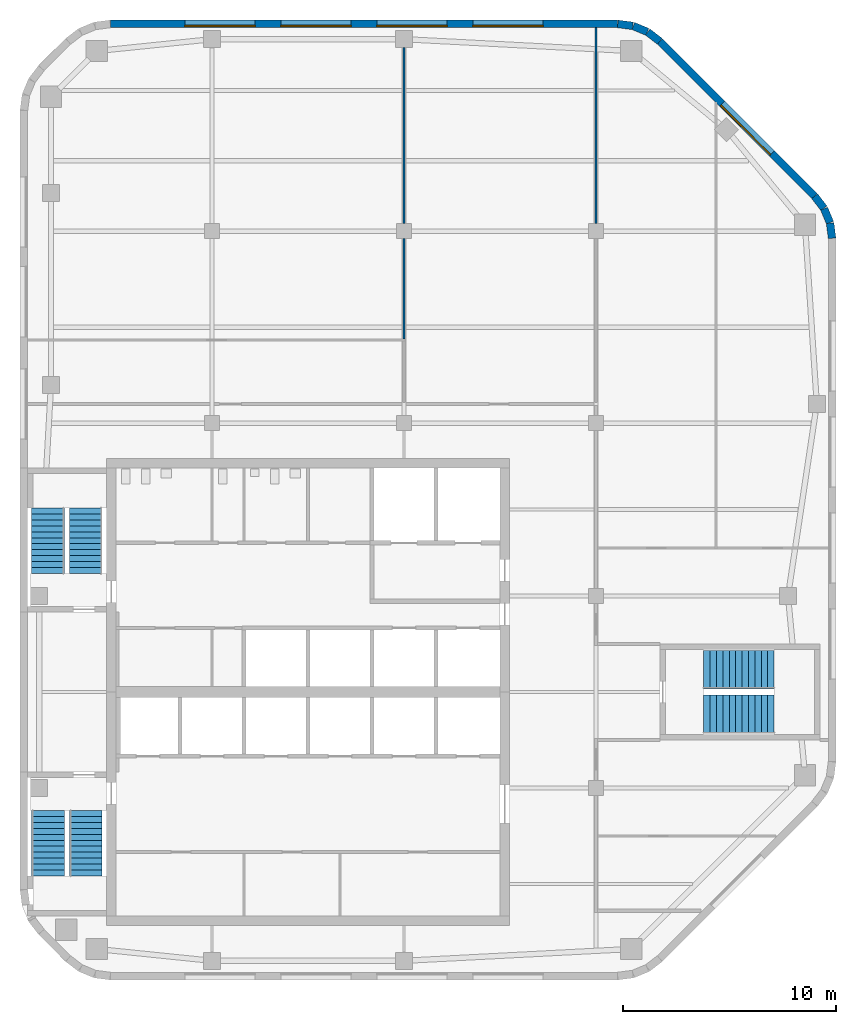
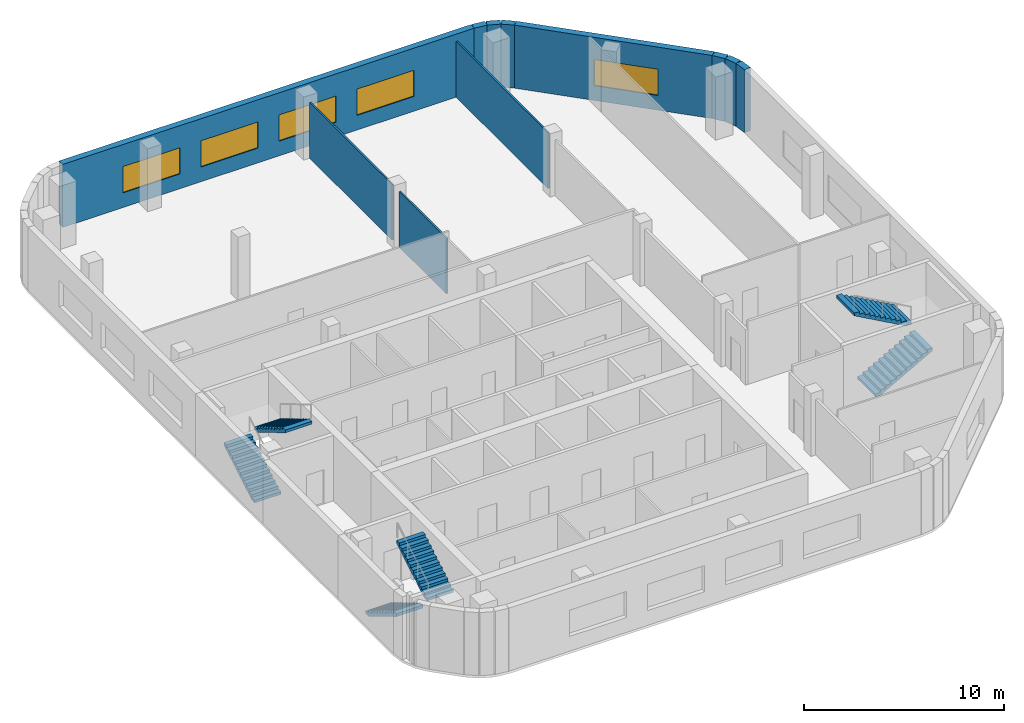
# One storey, part 5 of 7: 11 walls, 6 stair flights, 5 windows, 5 openings, 3 elements without a shape of their own.
"""IFC4 building model written with IfcOpenShell, lengths in metres."""

from ifc_helpers import new_model, si_unit, direction, frame, frame_2d, origin, place, context, subcontext, project, spatial, polyline, rectangle, outline, extrude, material, layer, layer_set, type_object, element, fill, aggregate, save


model = new_model("IFC4")

# Units and contexts
model_context = context("Model", 3, precision=1e-05, world=origin(), true_north=direction((0.0, 1.0)))
body_context = subcontext(model_context, "Body", "Model", "MODEL_VIEW")
ifc_project = project(units=[si_unit("LENGTHUNIT", "METRE"), si_unit("AREAUNIT", "SQUARE_METRE"), si_unit("VOLUMEUNIT", "CUBIC_METRE"), si_unit("PLANEANGLEUNIT", "RADIAN"), si_unit("MASSUNIT", "GRAM", prefix="KILO")], contexts=[model_context])

# Site, building, storey
site_placement = place(None, origin())
site = spatial("IfcSite", under=ifc_project, at=site_placement, CompositionType="ELEMENT")
building_placement = place(site_placement, origin())
building = spatial("IfcBuilding", under=site, at=building_placement, Name="Cinnabar Reach Civic Tower", CompositionType="ELEMENT")
storey_placement = place(building_placement, frame((0.0, 0.0, 251.0)))
storey = spatial("IfcBuildingStorey", under=building, at=storey_placement, Name="L60", CompositionType="ELEMENT", Elevation=251.0)

# Walls
ifc_material_1 = material(Name="Facing brick with insulated backing", Category="masonry")
ifc_layer_1 = layer(ifc_material_1, 0.36)
ifc_layer_set_1 = layer_set([ifc_layer_1], Name="Brick corner wall")
wall_type_1 = type_object("IfcWallType", Name="Brick corner wall", PredefinedType="STANDARD", material=ifc_layer_set_1)
for number, where, z_axis, x_axis, name in (
    (1, (38.067, 52.7686, 0.0), (0.0, 0.0, 1.0), (-0.13055608231, 0.99144092581, 0.0), "Brick corner wall"),
    (2, (37.9681, 53.4973, 0.0), (0.0, 0.0, 1.0), (-0.382702709855, 0.923871547278, 0.0), "Brick corner wall"),
):
    element("IfcWall", number, at=place(storey_placement, frame(where, z_axis=z_axis, x_axis=x_axis)), inside=storey, type_object=wall_type_1, Name=name, PredefinedType="STANDARD", context=body_context, shape_type="SweptSolid", body=[
        extrude(rectangle(XDim=0.7131, YDim=0.36, at=frame_2d((0.3565, 0.0))), origin(), (0.0, 0.0, 1.0), 3.85),
    ])
for number, where, z_axis, x_axis, name in (
    (3, (37.684, 54.1755, 0.0), (0.0, 0.0, 1.0), (-0.608802368033, 0.793321924995, 0.0), "Brick corner wall"),
    (4, (29.9913, 61.9998, 0.0), (0.0, 0.0, 1.0), (-0.793321924995, 0.608802368033, 0.0), "Brick corner wall"),
):
    element("IfcWall", number, at=place(storey_placement, frame(where, z_axis=z_axis, x_axis=x_axis)), inside=storey, type_object=wall_type_1, Name=name, PredefinedType="STANDARD", context=body_context, shape_type="SweptSolid", body=[
        extrude(rectangle(XDim=0.7132, YDim=0.36, at=frame_2d((0.3566, 0.0))), origin(), (0.0, 0.0, 1.0), 3.85),
    ])
for number, where, z_axis, x_axis, name in (
    (5, (29.4061, 62.4452, 0.0), (0.0, 0.0, 1.0), (-0.923871547278, 0.382702709855, 0.0), "Brick corner wall"),
    (6, (28.7256, 62.7239, 0.0), (0.0, 0.0, 1.0), (-0.99144092581, 0.13055608231, 0.0), "Brick corner wall"),
):
    element("IfcWall", number, at=place(storey_placement, frame(where, z_axis=z_axis, x_axis=x_axis)), inside=storey, type_object=wall_type_1, Name=name, PredefinedType="STANDARD", context=body_context, shape_type="SweptSolid", body=[
        extrude(rectangle(XDim=0.7131, YDim=0.36, at=frame_2d((0.3565, 0.0))), origin(), (0.0, 0.0, 1.0), 3.85),
    ])

# Wall, opening, window
ifc_layer_2 = layer(ifc_material_1, 0.36)
ifc_layer_set_2 = layer_set([ifc_layer_2], Name="Brick pier and spandrel wall")
wall_type_2 = type_object("IfcWallType", Name="Brick pier and spandrel wall", PredefinedType="STANDARD", material=ifc_layer_set_2)
wall_1_placement = place(storey_placement, frame((37.244, 54.7514, 0.0), z_axis=(0.0, 0.0, 1.0), x_axis=(-0.707106781187, 0.707106781187, 0.0)))
wall_1 = element("IfcWall", 7, at=wall_1_placement, inside=storey, type_object=wall_type_2, Name="Brick facade wall", PredefinedType="STANDARD", context=body_context, shape_type="SweptSolid", body=[
    extrude(rectangle(XDim=10.2426, YDim=0.36, at=frame_2d((5.1213, 0.0))), origin(), (0.0, 0.0, 1.0), 3.85),
])
opening_1_placement = place(wall_1_placement, frame((2.8213, 0.0, 0.9)))
opening_1 = element("IfcOpeningElement", 8, at=opening_1_placement, cuts=wall_1, Name="Opening W2203", PredefinedType="OPENING", context=body_context, shape_type="SweptSolid", body=[
    extrude(rectangle(XDim=3.3, YDim=1.6, at=frame_2d((1.65, 0.8))), frame((0.0, 0.19, 0.0), z_axis=(0.0, -1.0, 0.0), x_axis=(1.0, 0.0, 0.0)), (0.0, 0.0, 1.0), 0.38),
])
ifc_material_2 = material(Name="Clear double glazing in aluminium frame", Category="aluminium")
window_type = type_object("IfcWindowType", Name="Deep-set window A", PartitioningType="SINGLE_PANEL", PredefinedType="WINDOW", material=ifc_material_2)
window_1_placement = place(opening_1_placement, origin())
window_1 = element("IfcWindow", 9, at=window_1_placement, inside=storey, type_object=window_type, Name="Window northeast face", OverallHeight=1.6, OverallWidth=3.3, PartitioningType="SINGLE_PANEL", PredefinedType="WINDOW", context=body_context, shape_type="SweptSolid", body=[
    extrude(rectangle(XDim=3.3, YDim=1.6, at=frame_2d((1.65, 0.8))), frame((0.0, 0.13, 0.0), z_axis=(0.0, -1.0, 0.0), x_axis=(1.0, 0.0, 0.0)), (0.0, 0.0, 1.0), 0.06),
])
fill(opening_1, window_1)

# Wall, openings, windows
wall_2_placement = place(storey_placement, frame((28.0074, 62.82, 0.0), z_axis=(0.0, 0.0, 1.0), x_axis=(-1.0, 0.0, 0.0)))
wall_2 = element("IfcWall", 10, at=wall_2_placement, inside=storey, type_object=wall_type_2, Name="Brick facade wall", PredefinedType="STANDARD", context=body_context, shape_type="SweptSolid", body=[
    extrude(rectangle(XDim=23.7648, YDim=0.36, at=frame_2d((11.8824, 0.0))), origin(), (0.0, 0.0, 1.0), 3.85),
])
opening_2_placement = place(wall_2_placement, frame((3.4824, 0.0, 0.9)))
opening_2 = element("IfcOpeningElement", 11, at=opening_2_placement, cuts=wall_2, Name="Opening W2204", PredefinedType="OPENING", context=body_context, shape_type="SweptSolid", body=[
    extrude(rectangle(XDim=3.3, YDim=1.6, at=frame_2d((1.65, 0.8))), frame((0.0, 0.19, 0.0), z_axis=(0.0, -1.0, 0.0), x_axis=(1.0, 0.0, 0.0)), (0.0, 0.0, 1.0), 0.38),
])
opening_3_placement = place(wall_2_placement, frame((7.9824, 0.0, 0.9)))
opening_3 = element("IfcOpeningElement", 12, at=opening_3_placement, cuts=wall_2, Name="Opening W2205", PredefinedType="OPENING", context=body_context, shape_type="SweptSolid", body=[
    extrude(rectangle(XDim=3.3, YDim=1.6, at=frame_2d((1.65, 0.8))), frame((0.0, 0.19, 0.0), z_axis=(0.0, -1.0, 0.0), x_axis=(1.0, 0.0, 0.0)), (0.0, 0.0, 1.0), 0.38),
])
opening_4_placement = place(wall_2_placement, frame((12.4824, 0.0, 0.9)))
opening_4 = element("IfcOpeningElement", 13, at=opening_4_placement, cuts=wall_2, Name="Opening W2206", PredefinedType="OPENING", context=body_context, shape_type="SweptSolid", body=[
    extrude(rectangle(XDim=3.3, YDim=1.6, at=frame_2d((1.65, 0.8))), frame((0.0, 0.19, 0.0), z_axis=(0.0, -1.0, 0.0), x_axis=(1.0, 0.0, 0.0)), (0.0, 0.0, 1.0), 0.38),
])
opening_5_placement = place(wall_2_placement, frame((16.9824, 0.0, 0.9)))
opening_5 = element("IfcOpeningElement", 14, at=opening_5_placement, cuts=wall_2, Name="Opening W2207", PredefinedType="OPENING", context=body_context, shape_type="SweptSolid", body=[
    extrude(rectangle(XDim=3.3, YDim=1.6, at=frame_2d((1.65, 0.8))), frame((0.0, 0.19, 0.0), z_axis=(0.0, -1.0, 0.0), x_axis=(1.0, 0.0, 0.0)), (0.0, 0.0, 1.0), 0.38),
])
window_2_placement = place(opening_2_placement, origin())
window_2 = element("IfcWindow", 15, at=window_2_placement, inside=storey, type_object=window_type, Name="Window north face", OverallHeight=1.6, OverallWidth=3.3, PartitioningType="SINGLE_PANEL", PredefinedType="WINDOW", context=body_context, shape_type="SweptSolid", body=[
    extrude(rectangle(XDim=3.3, YDim=1.6, at=frame_2d((1.65, 0.8))), frame((0.0, 0.13, 0.0), z_axis=(0.0, -1.0, 0.0), x_axis=(1.0, 0.0, 0.0)), (0.0, 0.0, 1.0), 0.06),
])
fill(opening_2, window_2)
window_3_placement = place(opening_3_placement, origin())
window_3 = element("IfcWindow", 16, at=window_3_placement, inside=storey, type_object=window_type, Name="Window north face", OverallHeight=1.6, OverallWidth=3.3, PartitioningType="SINGLE_PANEL", PredefinedType="WINDOW", context=body_context, shape_type="SweptSolid", body=[
    extrude(rectangle(XDim=3.3, YDim=1.6, at=frame_2d((1.65, 0.8))), frame((0.0, 0.13, 0.0), z_axis=(0.0, -1.0, 0.0), x_axis=(1.0, 0.0, 0.0)), (0.0, 0.0, 1.0), 0.06),
])
fill(opening_3, window_3)
window_4_placement = place(opening_4_placement, origin())
window_4 = element("IfcWindow", 17, at=window_4_placement, inside=storey, type_object=window_type, Name="Window north face", OverallHeight=1.6, OverallWidth=3.3, PartitioningType="SINGLE_PANEL", PredefinedType="WINDOW", context=body_context, shape_type="SweptSolid", body=[
    extrude(rectangle(XDim=3.3, YDim=1.6, at=frame_2d((1.65, 0.8))), frame((0.0, 0.13, 0.0), z_axis=(0.0, -1.0, 0.0), x_axis=(1.0, 0.0, 0.0)), (0.0, 0.0, 1.0), 0.06),
])
fill(opening_4, window_4)
window_5_placement = place(opening_5_placement, origin())
window_5 = element("IfcWindow", 18, at=window_5_placement, inside=storey, type_object=window_type, Name="Window north face", OverallHeight=1.6, OverallWidth=3.3, PartitioningType="SINGLE_PANEL", PredefinedType="WINDOW", context=body_context, shape_type="SweptSolid", body=[
    extrude(rectangle(XDim=3.3, YDim=1.6, at=frame_2d((1.65, 0.8))), frame((0.0, 0.13, 0.0), z_axis=(0.0, -1.0, 0.0), x_axis=(1.0, 0.0, 0.0)), (0.0, 0.0, 1.0), 0.06),
])
fill(opening_5, window_5)

# Walls
ifc_material_3 = material(Name="Gypsum board on steel studs", Category="steel")
ifc_layer_3 = layer(ifc_material_3, 0.1)
ifc_layer_set_3 = layer_set([ifc_layer_3], Name="Partition wall 100 T1")
wall_type_3 = type_object("IfcWallType", Name="Partition wall 100 T1", PredefinedType="PARTITIONING", material=ifc_layer_set_3)
wall_3_placement = place(storey_placement, frame((18.0, 48.05, 0.0), z_axis=(0.0, 0.0, 1.0), x_axis=(0.0, 1.0, 0.0)))
element("IfcWall", 19, at=wall_3_placement, inside=storey, type_object=wall_type_3, Name="Partition wall 38", PredefinedType="PARTITIONING", context=body_context, shape_type="SweptSolid", body=[
    extrude(rectangle(XDim=4.7, YDim=0.1, at=frame_2d((2.35, 0.0))), origin(), (0.0, 0.0, 1.0), 3.4),
])
wall_4_placement = place(storey_placement, frame((18.0, 53.45, 0.0), z_axis=(0.0, 0.0, 1.0), x_axis=(0.0, 1.0, 0.0)))
element("IfcWall", 20, at=wall_4_placement, inside=storey, type_object=wall_type_3, Name="Partition wall 39", PredefinedType="PARTITIONING", context=body_context, shape_type="SweptSolid", body=[
    extrude(rectangle(XDim=8.25, YDim=0.1, at=frame_2d((4.125, 0.0))), origin(), (0.0, 0.0, 1.0), 3.4),
])
wall_5_placement = place(storey_placement, frame((27.0, 53.45, 0.0), z_axis=(0.0, 0.0, 1.0), x_axis=(0.0, 1.0, 0.0)))
element("IfcWall", 21, at=wall_5_placement, inside=storey, type_object=wall_type_3, Name="Partition wall 41", PredefinedType="PARTITIONING", context=body_context, shape_type="SweptSolid", body=[
    extrude(rectangle(XDim=9.19, YDim=0.1, at=frame_2d((4.595, 0.0))), origin(), (0.0, 0.0, 1.0), 3.4),
])

# Stair, stair flights
ifc_material_4 = material(Name="Concrete C40/50", Category="concrete")
stair_type = type_object("IfcStairType", Name="T1 Exit stair, half-turn", PredefinedType="HALF_TURN_STAIR", material=ifc_material_4)
stair_1_placement = place(storey_placement, origin())
stair_1 = element("IfcStair", 22, at=stair_1_placement, inside=storey, type_object=stair_type, Name="Stair T1-S1", PredefinedType="HALF_TURN_STAIR")
stair_flight_type = type_object("IfcStairFlightType", Name="T1 Stair flight, concrete", PredefinedType="STRAIGHT", material=ifc_material_4)
stair_flight_1_placement = place(storey_placement, frame((1.3125, 25.95, 0.0), z_axis=(0.0, 0.0, 1.0), x_axis=(0.0, -1.0, 0.0)))
stair_flight_1 = element("IfcStairFlight", 23, at=stair_flight_1_placement, type_object=stair_flight_type, Name="T1-S1 flight 1", NumberOfRisers=12, NumberOfTreads=11, PredefinedType="STRAIGHT", RiserHeight=0.166666667, TreadLength=0.28, context=body_context, shape_type="SweptSolid", body=[
    extrude(outline(polyline([(0.0, 0.0), (0.0, 0.1667), (0.28, 0.1667), (0.28, 0.3333), (0.56, 0.3333), (0.56, 0.5), (0.84, 0.5), (0.84, 0.6667), (1.12, 0.6667), (1.12, 0.8333), (1.4, 0.8333), (1.4, 1.0), (1.68, 1.0), (1.68, 1.1667), (1.96, 1.1667), (1.96, 1.3333), (2.24, 1.3333), (2.24, 1.5), (2.52, 1.5), (2.52, 1.6667), (2.8, 1.6667), (2.8, 1.8333), (3.08, 1.8333), (3.08, 2.0), (3.08, 1.6588), (0.2933, 0.0), (0.0, 0.0)])), frame((0.0, 0.7625, 0.0), z_axis=(0.0, -1.0, 0.0), x_axis=(1.0, 0.0, 0.0)), (0.0, 0.0, 1.0), 1.525),
])
stair_flight_2_placement = place(storey_placement, frame((3.0875, 22.87, 2.0), z_axis=(0.0, 0.0, 1.0), x_axis=(0.0, 1.0, 0.0)))
stair_flight_2 = element("IfcStairFlight", 24, at=stair_flight_2_placement, type_object=stair_flight_type, Name="T1-S1 flight 2", NumberOfRisers=12, NumberOfTreads=11, PredefinedType="STRAIGHT", RiserHeight=0.166666667, TreadLength=0.28, context=body_context, shape_type="SweptSolid", body=[
    extrude(outline(polyline([(0.0, 0.0), (0.0, 0.1667), (0.28, 0.1667), (0.28, 0.3333), (0.56, 0.3333), (0.56, 0.5), (0.84, 0.5), (0.84, 0.6667), (1.12, 0.6667), (1.12, 0.8333), (1.4, 0.8333), (1.4, 1.0), (1.68, 1.0), (1.68, 1.1667), (1.96, 1.1667), (1.96, 1.3333), (2.24, 1.3333), (2.24, 1.5), (2.52, 1.5), (2.52, 1.6667), (2.8, 1.6667), (2.8, 1.8333), (3.08, 1.8333), (3.08, 2.0), (3.08, 1.6588), (0.2933, 0.0), (0.0, 0.0)])), frame((0.0, 0.7625, 0.0), z_axis=(0.0, -1.0, 0.0), x_axis=(1.0, 0.0, 0.0)), (0.0, 0.0, 1.0), 1.525),
])
aggregate(stair_1, [stair_flight_1, stair_flight_2])

stair_2_placement = place(storey_placement, origin())
stair_2 = element("IfcStair", 25, at=stair_2_placement, inside=storey, type_object=stair_type, Name="Stair T1-S2", PredefinedType="HALF_TURN_STAIR")
stair_flight_3_placement = place(storey_placement, frame((1.3125, 37.05, 0.0), z_axis=(0.0, 0.0, 1.0), x_axis=(0.0, 1.0, 0.0)))
stair_flight_3 = element("IfcStairFlight", 26, at=stair_flight_3_placement, type_object=stair_flight_type, Name="T1-S2 flight 1", NumberOfRisers=12, NumberOfTreads=11, PredefinedType="STRAIGHT", RiserHeight=0.166666667, TreadLength=0.28, context=body_context, shape_type="SweptSolid", body=[
    extrude(outline(polyline([(0.0, 0.0), (0.0, 0.1667), (0.28, 0.1667), (0.28, 0.3333), (0.56, 0.3333), (0.56, 0.5), (0.84, 0.5), (0.84, 0.6667), (1.12, 0.6667), (1.12, 0.8333), (1.4, 0.8333), (1.4, 1.0), (1.68, 1.0), (1.68, 1.1667), (1.96, 1.1667), (1.96, 1.3333), (2.24, 1.3333), (2.24, 1.5), (2.52, 1.5), (2.52, 1.6667), (2.8, 1.6667), (2.8, 1.8333), (3.08, 1.8333), (3.08, 2.0), (3.08, 1.6588), (0.2933, 0.0), (0.0, 0.0)])), frame((0.0, 0.7625, 0.0), z_axis=(0.0, -1.0, 0.0), x_axis=(1.0, 0.0, 0.0)), (0.0, 0.0, 1.0), 1.525),
])
stair_flight_4_placement = place(storey_placement, frame((3.0875, 40.13, 2.0), z_axis=(0.0, 0.0, 1.0), x_axis=(0.0, -1.0, 0.0)))
stair_flight_4 = element("IfcStairFlight", 27, at=stair_flight_4_placement, type_object=stair_flight_type, Name="T1-S2 flight 2", NumberOfRisers=12, NumberOfTreads=11, PredefinedType="STRAIGHT", RiserHeight=0.166666667, TreadLength=0.28, context=body_context, shape_type="SweptSolid", body=[
    extrude(outline(polyline([(0.0, 0.0), (0.0, 0.1667), (0.28, 0.1667), (0.28, 0.3333), (0.56, 0.3333), (0.56, 0.5), (0.84, 0.5), (0.84, 0.6667), (1.12, 0.6667), (1.12, 0.8333), (1.4, 0.8333), (1.4, 1.0), (1.68, 1.0), (1.68, 1.1667), (1.96, 1.1667), (1.96, 1.3333), (2.24, 1.3333), (2.24, 1.5), (2.52, 1.5), (2.52, 1.6667), (2.8, 1.6667), (2.8, 1.8333), (3.08, 1.8333), (3.08, 2.0), (3.08, 1.6588), (0.2933, 0.0), (0.0, 0.0)])), frame((0.0, 0.7625, 0.0), z_axis=(0.0, -1.0, 0.0), x_axis=(1.0, 0.0, 0.0)), (0.0, 0.0, 1.0), 1.525),
])
aggregate(stair_2, [stair_flight_3, stair_flight_4])

stair_3_placement = place(storey_placement, origin())
stair_3 = element("IfcStair", 28, at=stair_3_placement, inside=storey, type_object=stair_type, Name="Stair T1-S3", PredefinedType="HALF_TURN_STAIR")
stair_flight_5_placement = place(storey_placement, frame((32.05, 30.45, 0.0), z_axis=(0.0, 0.0, 1.0), x_axis=(1.0, 0.0, 0.0)))
stair_flight_5 = element("IfcStairFlight", 29, at=stair_flight_5_placement, type_object=stair_flight_type, Name="T1-S3 flight 1", NumberOfRisers=12, NumberOfTreads=11, PredefinedType="STRAIGHT", RiserHeight=0.166666667, TreadLength=0.3, context=body_context, shape_type="SweptSolid", body=[
    extrude(outline(polyline([(0.0, 0.0), (0.0, 0.1667), (0.3, 0.1667), (0.3, 0.3333), (0.6, 0.3333), (0.6, 0.5), (0.9, 0.5), (0.9, 0.6667), (1.2, 0.6667), (1.2, 0.8333), (1.5, 0.8333), (1.5, 1.0), (1.8, 1.0), (1.8, 1.1667), (2.1, 1.1667), (2.1, 1.3333), (2.4, 1.3333), (2.4, 1.5), (2.7, 1.5), (2.7, 1.6667), (3.0, 1.6667), (3.0, 1.8333), (3.3, 1.8333), (3.3, 2.0), (3.3, 1.6617), (0.3089, 0.0), (0.0, 0.0)])), frame((0.0, 0.9, 0.0), z_axis=(0.0, -1.0, 0.0), x_axis=(1.0, 0.0, 0.0)), (0.0, 0.0, 1.0), 1.8),
])
stair_flight_6_placement = place(storey_placement, frame((35.35, 32.55, 2.0), z_axis=(0.0, 0.0, 1.0), x_axis=(-1.0, 0.0, 0.0)))
stair_flight_6 = element("IfcStairFlight", 30, at=stair_flight_6_placement, type_object=stair_flight_type, Name="T1-S3 flight 2", NumberOfRisers=12, NumberOfTreads=11, PredefinedType="STRAIGHT", RiserHeight=0.166666667, TreadLength=0.3, context=body_context, shape_type="SweptSolid", body=[
    extrude(outline(polyline([(0.0, 0.0), (0.0, 0.1667), (0.3, 0.1667), (0.3, 0.3333), (0.6, 0.3333), (0.6, 0.5), (0.9, 0.5), (0.9, 0.6667), (1.2, 0.6667), (1.2, 0.8333), (1.5, 0.8333), (1.5, 1.0), (1.8, 1.0), (1.8, 1.1667), (2.1, 1.1667), (2.1, 1.3333), (2.4, 1.3333), (2.4, 1.5), (2.7, 1.5), (2.7, 1.6667), (3.0, 1.6667), (3.0, 1.8333), (3.3, 1.8333), (3.3, 2.0), (3.3, 1.6617), (0.3089, 0.0), (0.0, 0.0)])), frame((0.0, 0.9, 0.0), z_axis=(0.0, -1.0, 0.0), x_axis=(1.0, 0.0, 0.0)), (0.0, 0.0, 1.0), 1.8),
])
aggregate(stair_3, [stair_flight_5, stair_flight_6])

save(model, "model.ifc")
